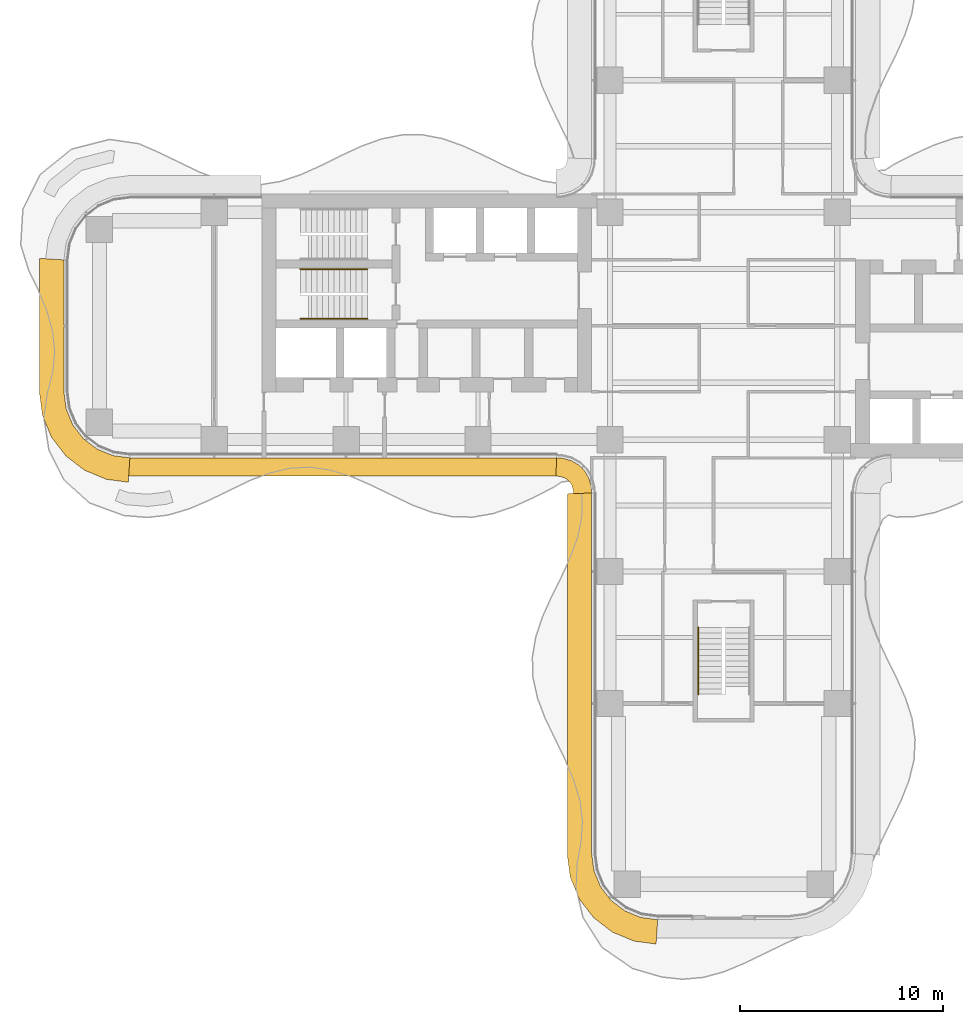
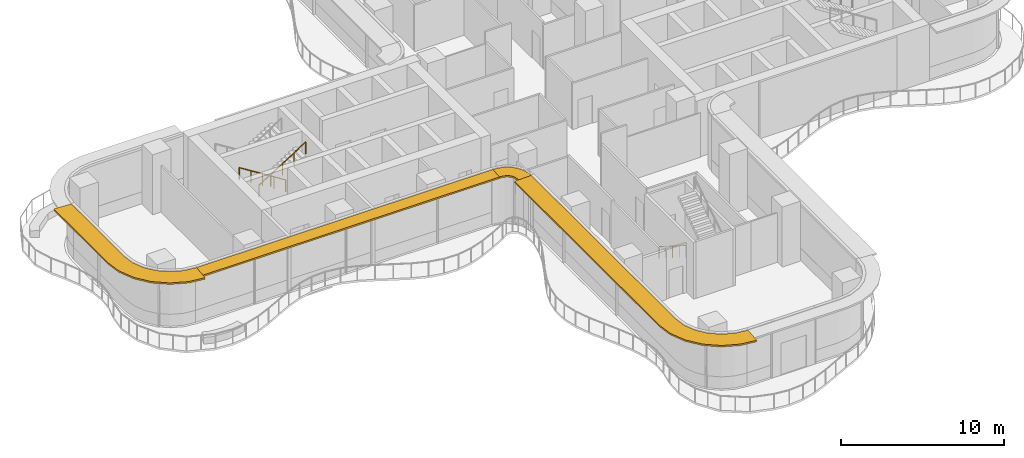
# One storey, part 20 of 21: 4 shading devices, 3 railings.
"""IFC4 building model written with IfcOpenShell, lengths in metres."""

from ifc_helpers import new_model, si_unit, direction, frame, origin, origin_2d, place, context, subcontext, project, spatial, polyline, circle, outline, extrude, source, transform, mapped, material, layer, layer_set, type_object, element, save


model = new_model("IFC4")

# Units and contexts
model_context = context("Model", 3, precision=1e-05, world=origin(), true_north=direction((0.0, 1.0)))
body_context = subcontext(model_context, "Body", "Model", "MODEL_VIEW")
ifc_project = project(units=[si_unit("LENGTHUNIT", "METRE"), si_unit("AREAUNIT", "SQUARE_METRE"), si_unit("VOLUMEUNIT", "CUBIC_METRE"), si_unit("PLANEANGLEUNIT", "RADIAN"), si_unit("MASSUNIT", "GRAM", prefix="KILO")], contexts=[model_context])

# Site, building, storey
site_placement = place(None, origin())
site = spatial("IfcSite", under=ifc_project, at=site_placement, CompositionType="ELEMENT")
building_placement = place(site_placement, origin())
building = spatial("IfcBuilding", under=site, at=building_placement, Name="Trellis Farm Tower", CompositionType="ELEMENT")
storey_placement = place(building_placement, frame((0.0, 0.0, 102.0)))
storey = spatial("IfcBuildingStorey", under=building, at=storey_placement, Name="L21", CompositionType="ELEMENT", Elevation=102.0)

# Railings
ifc_material_1 = material(Name="Stainless steel", Category="steel")
railing_type = type_object("IfcRailingType", Name="STAIR HANDRAIL 900", PredefinedType="HANDRAIL", material=ifc_material_1)
shared_shape_1 = source(origin(), body_context, "Body", "SweptSolid", [
    extrude(circle(Radius=0.02392578125, at=origin_2d()), frame((0.0, 0.0, 0.8759765625), z_axis=(0.0, -0.846319618018, 0.532675421018), x_axis=(1.0, 0.0, 0.0)), (0.0, 0.0, 1.0), 3.89892578125),
    extrude(circle(Radius=0.02099609375, at=origin_2d()), origin(), (0.0, 0.0, 1.0), 0.851806640625),
    extrude(circle(Radius=0.02099609375, at=origin_2d()), frame((0.0, -0.824951171875, 0.519287109375)), (0.0, 0.0, 1.0), 0.851806640625),
    extrude(circle(Radius=0.02099609375, at=origin_2d()), frame((0.0, -1.64990234375, 1.03857421875)), (0.0, 0.0, 1.0), 0.851806640625),
    extrude(circle(Radius=0.02099609375, at=origin_2d()), frame((0.0, -2.474853515625, 1.5576171875)), (0.0, 0.0, 1.0), 0.851806640625),
    extrude(circle(Radius=0.02099609375, at=origin_2d()), frame((0.0, -3.2998046875, 2.076904296875)), (0.0, 0.0, 1.0), 0.851806640625),
])
railing_1_placement = place(storey_placement, frame((-1.25, -14.85009765625, 0.173095703125)))
element("IfcRailing", 1, at=railing_1_placement, inside=storey, type_object=railing_type, Name="Stair handrail", PredefinedType="HANDRAIL", context=body_context, shape_type="MappedRepresentation", body=[
    mapped(shared_shape_1, transform((0.0, 0.0, 0.0))),
])
shared_shape_2 = source(origin(), body_context, "Body", "SweptSolid", [
    extrude(circle(Radius=0.02392578125, at=origin_2d()), frame((0.0, 0.0, 0.8759765625), z_axis=(0.846337383501, 0.0, 0.532647194011), x_axis=(0.0, 1.0, 0.0)), (0.0, 0.0, 1.0), 3.899169921875),
    extrude(circle(Radius=0.02099609375, at=origin_2d()), origin(), (0.0, 0.0, 1.0), 0.851806640625),
    extrude(circle(Radius=0.02099609375, at=origin_2d()), frame((0.824951171875, 0.0, 0.519287109375)), (0.0, 0.0, 1.0), 0.851806640625),
    extrude(circle(Radius=0.02099609375, at=origin_2d()), frame((1.64990234375, 0.0, 1.03857421875)), (0.0, 0.0, 1.0), 0.851806640625),
    extrude(circle(Radius=0.02099609375, at=origin_2d()), frame((2.47509765625, 0.0, 1.5576171875)), (0.0, 0.0, 1.0), 0.851806640625),
    extrude(circle(Radius=0.02099609375, at=origin_2d()), frame((3.300048828125, 0.0, 2.076904296875)), (0.0, 0.0, 1.0), 0.851806640625),
])
railing_2_placement = place(storey_placement, frame((-20.85009765625, 0.35009765625, 2.423095703125)))
element("IfcRailing", 2, at=railing_2_placement, inside=storey, type_object=railing_type, Name="Stair handrail", PredefinedType="HANDRAIL", context=body_context, shape_type="MappedRepresentation", body=[
    mapped(shared_shape_2, transform((0.0, 0.0, 0.0))),
])
shared_shape_3 = source(origin(), body_context, "Body", "SweptSolid", [
    extrude(circle(Radius=0.02392578125, at=origin_2d()), frame((0.0, 0.0, 0.8759765625), z_axis=(-0.846337383501, 0.0, 0.532647194011), x_axis=(0.0, -1.0, 0.0)), (0.0, 0.0, 1.0), 3.899169921875),
    extrude(circle(Radius=0.02099609375, at=origin_2d()), origin(), (0.0, 0.0, 1.0), 0.851806640625),
    extrude(circle(Radius=0.02099609375, at=origin_2d()), frame((-0.824951171875, 0.0, 0.519287109375)), (0.0, 0.0, 1.0), 0.851806640625),
    extrude(circle(Radius=0.02099609375, at=origin_2d()), frame((-1.64990234375, 0.0, 1.03857421875)), (0.0, 0.0, 1.0), 0.851806640625),
    extrude(circle(Radius=0.02099609375, at=origin_2d()), frame((-2.47509765625, 0.0, 1.5576171875)), (0.0, 0.0, 1.0), 0.851806640625),
    extrude(circle(Radius=0.02099609375, at=origin_2d()), frame((-3.300048828125, 0.0, 2.076904296875)), (0.0, 0.0, 1.0), 0.851806640625),
])
railing_3_placement = place(storey_placement, frame((-17.550048828125, 2.800048828125, 0.173095703125)))
element("IfcRailing", 3, at=railing_3_placement, inside=storey, type_object=railing_type, Name="Stair handrail", PredefinedType="HANDRAIL", context=body_context, shape_type="MappedRepresentation", body=[
    mapped(shared_shape_3, transform((0.0, 0.0, 0.0))),
])

# Shading devices
ifc_material_2 = material(Name="Aluminium extrusion 6063-T6", Category="aluminium")
ifc_layer_1 = layer(ifc_material_2, 0.1201171875)
ifc_layer_set_1 = layer_set([ifc_layer_1], Name="SUNSHADE BLADE 900")
shading_device_type_1 = type_object("IfcShadingDeviceType", Name="SUNSHADE BLADE 900", PredefinedType="USERDEFINED", material=ifc_layer_set_1)
shared_shape_4 = source(origin(), body_context, "Body", "SweptSolid", [
    extrude(outline(polyline([(-29.30908203125, -7.39990234375), (-8.2607421875, -7.39990234375), (-8.2314453125, -6.5), (-29.25, -6.5), (-29.30908203125, -7.39990234375)])), origin(), (0.0, 0.0, 1.0), 0.119873046875),
])
placement = place(storey_placement, frame((0.0, 0.0, 4.090087890625)))
element("IfcShadingDevice", 4, at=placement, inside=storey, type_object=shading_device_type_1, Name="SD1 001", ObjectType="SUNSHADE", PredefinedType="USERDEFINED", context=body_context, shape_type="MappedRepresentation", body=[
    mapped(shared_shape_4, transform((0.0, 0.0, 0.0))),
])
shared_shape_5 = source(origin(), body_context, "Body", "SweptSolid", [
    extrude(outline(polyline([(-8.2607421875, -7.39990234375), (-8.107666015625, -7.409912109375), (-8.091552734375, -7.412109375), (-7.85595703125, -7.475341796875), (-7.697021484375, -7.567138671875), (-7.567138671875, -7.697021484375), (-7.475341796875, -7.85595703125), (-7.412109375, -8.091552734375), (-7.409912109375, -8.107666015625), (-7.39990234375, -8.2607421875), (-6.5, -8.2314453125), (-6.513916015625, -8.01953125), (-6.527587890625, -7.91552734375), (-6.63671875, -7.508544921875), (-6.846923828125, -7.144287109375), (-7.144287109375, -6.846923828125), (-7.508544921875, -6.63671875), (-7.91552734375, -6.527587890625), (-8.01953125, -6.513916015625), (-8.2314453125, -6.5), (-8.2607421875, -7.39990234375)])), origin(), (0.0, 0.0, 1.0), 0.119873046875),
])
element("IfcShadingDevice", 5, at=placement, inside=storey, type_object=shading_device_type_1, Name="SD1 002", ObjectType="SUNSHADE", PredefinedType="USERDEFINED", context=body_context, shape_type="MappedRepresentation", body=[
    mapped(shared_shape_5, transform((0.0, 0.0, 0.0))),
])
ifc_layer_2 = layer(ifc_material_2, 0.1201171875)
ifc_layer_set_2 = layer_set([ifc_layer_2], Name="SUNSHADE BLADE 1200")
shading_device_type_2 = type_object("IfcShadingDeviceType", Name="SUNSHADE BLADE 1200", PredefinedType="USERDEFINED", material=ifc_layer_set_2)
shared_shape_6 = source(origin(), body_context, "Body", "SweptSolid", [
    extrude(outline(polyline([(-7.699951171875, -8.270751953125), (-7.699951171875, -26.07861328125), (-7.558349609375, -27.154541015625), (-7.11279296875, -28.230224609375), (-6.404052734375, -29.154052734375), (-5.480224609375, -29.86279296875), (-4.404541015625, -30.308349609375), (-3.32861328125, -30.449951171875), (-3.25, -29.25), (-4.091064453125, -29.13916015625), (-4.875, -28.814697265625), (-5.548095703125, -28.298095703125), (-6.064697265625, -27.625), (-6.38916015625, -26.841064453125), (-6.5, -26.0), (-6.5, -8.2314453125), (-7.699951171875, -8.270751953125)])), origin(), (0.0, 0.0, 1.0), 0.119873046875),
])
element("IfcShadingDevice", 6, at=placement, inside=storey, type_object=shading_device_type_2, Name="SD2 003", ObjectType="SUNSHADE", PredefinedType="USERDEFINED", context=body_context, shape_type="MappedRepresentation", body=[
    mapped(shared_shape_6, transform((0.0, 0.0, 0.0))),
])
shared_shape_7 = source(origin(), body_context, "Body", "SweptSolid", [
    extrude(outline(polyline([(-33.699951171875, 3.32861328125), (-33.699951171875, -3.32861328125), (-33.558349609375, -4.404541015625), (-33.11279296875, -5.480224609375), (-32.404052734375, -6.404052734375), (-31.480224609375, -7.11279296875), (-30.404541015625, -7.558349609375), (-29.32861328125, -7.699951171875), (-29.25, -6.5), (-30.091064453125, -6.38916015625), (-30.875, -6.064697265625), (-31.548095703125, -5.548095703125), (-32.064697265625, -4.875), (-32.38916015625, -4.091064453125), (-32.5, -3.25), (-32.5, 3.25), (-33.699951171875, 3.32861328125)])), origin(), (0.0, 0.0, 1.0), 0.119873046875),
])
element("IfcShadingDevice", 7, at=placement, inside=storey, type_object=shading_device_type_2, Name="SD2 016", ObjectType="SUNSHADE", PredefinedType="USERDEFINED", context=body_context, shape_type="MappedRepresentation", body=[
    mapped(shared_shape_7, transform((0.0, 0.0, 0.0))),
])

save(model, "model.ifc")
